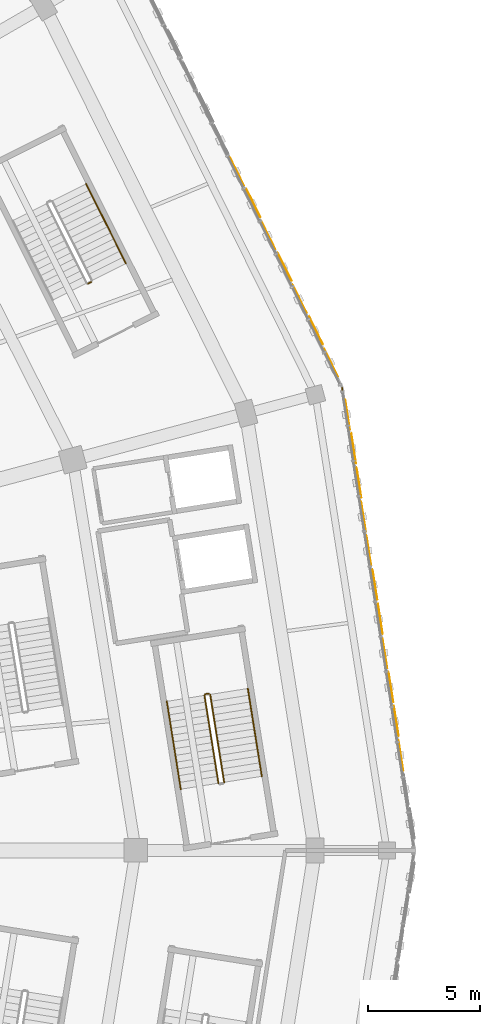
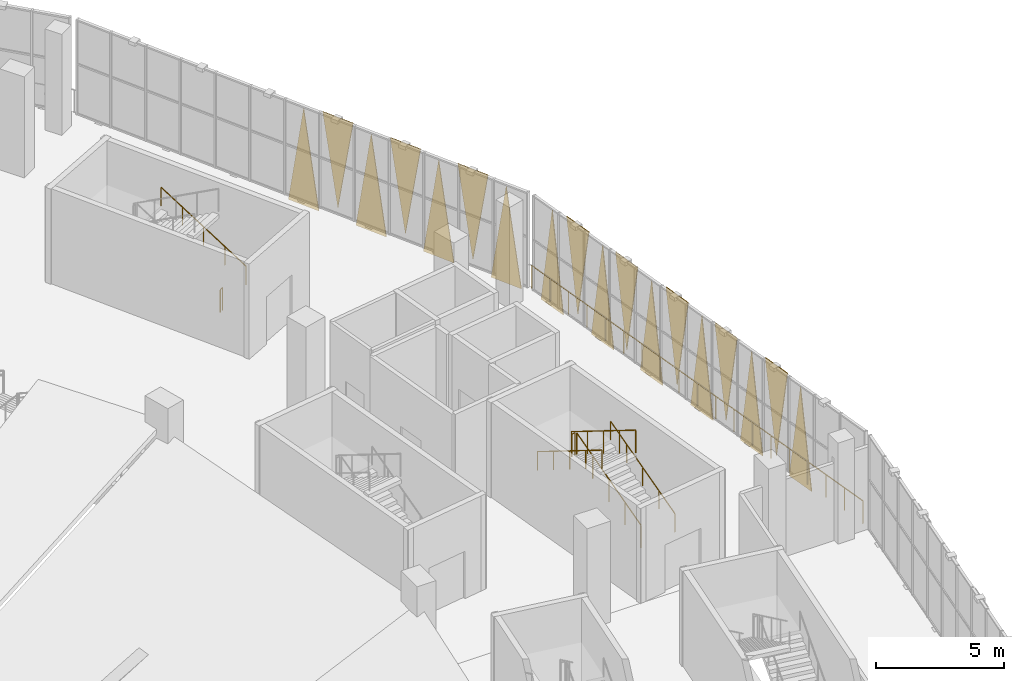
# One storey, part 155 of 183: 18 coverings, 8 railings.
"""IFC4 building model written with IfcOpenShell, lengths in metres."""

from ifc_helpers import new_model, si_unit, direction, frame, origin, origin_2d, place, context, subcontext, project, spatial, polyline, circle, outline, extrude, material, layer, layer_set, type_object, element, save


model = new_model("IFC4")

# Units and contexts
model_context = context("Model", 3, precision=1e-05, world=origin(), true_north=direction((0.0, 1.0)))
body_context = subcontext(model_context, "Body", "Model", "MODEL_VIEW")
ifc_project = project(units=[si_unit("LENGTHUNIT", "METRE"), si_unit("AREAUNIT", "SQUARE_METRE"), si_unit("VOLUMEUNIT", "CUBIC_METRE"), si_unit("PLANEANGLEUNIT", "RADIAN"), si_unit("MASSUNIT", "GRAM", prefix="KILO")], contexts=[model_context])

# Site, building, storey
site_placement = place(None, origin())
site = spatial("IfcSite", under=ifc_project, at=site_placement, CompositionType="ELEMENT")
building_placement = place(site_placement, origin())
building = spatial("IfcBuilding", under=site, at=building_placement, Name="Zevraka Park Crest Stadium", CompositionType="ELEMENT")
storey_placement = place(building_placement, frame((0.0, 0.0, 5.39990234375)))
storey = spatial("IfcBuildingStorey", under=building, at=storey_placement, Name="L01", CompositionType="ELEMENT", Elevation=5.39990234375)

# Coverings
ifc_material_1 = material(Name="Architectural golden-bronze perforated aluminium", Category="aluminium")
ifc_layer = layer(ifc_material_1, 0.034912109375)
ifc_layer_set = layer_set([ifc_layer], Name="Architectural golden-bronze perforated aluminium")
covering_type = type_object("IfcCoveringType", Name="CLD01", PredefinedType="CLADDING", material=ifc_layer_set)
covering_1_placement = place(storey_placement, frame((206.242919921875, 95.56396484375, -0.260009765625), z_axis=(0.988021307121, 0.154317495936, 8.4399155e-05), x_axis=(-0.154317496485, 0.98802131064, 0.0)))
element("IfcCovering", 1, at=covering_1_placement, inside=storey, type_object=covering_type, Name="Triangular Golden-Bronze Perforated Cladding L01-00-3", PredefinedType="CLADDING", context=body_context, shape_type="SweptSolid", body=[
    extrude(outline(polyline([(0.0, 0.0), (1.3795624595306466, 0.0), (0.6904596204561364, 4.600097672633749), (0.0, 0.0)])), origin(), (0.0, 0.0, -1.0), 0.034912109375),
])
covering_2_placement = place(storey_placement, frame((205.7919921875, 98.447021484375, 4.5), z_axis=(-0.988004429804, -0.154425499693, 0.000108316949), x_axis=(0.154425500599, -0.9880044356, 0.0)))
element("IfcCovering", 2, at=covering_2_placement, inside=storey, type_object=covering_type, Name="Triangular Golden-Bronze Perforated Cladding L01-00-4", PredefinedType="CLADDING", context=body_context, shape_type="SweptSolid", body=[
    extrude(outline(polyline([(0.0, 0.0), (1.378597603206358, 0.0), (0.6891027925165095, -4.279785181356422), (0.0, 0.0)])), origin(), (0.0, 0.0, -1.0), 0.034912109375),
])
covering_3_placement = place(storey_placement, frame((205.76708984375, 98.60498046875, -0.260009765625), z_axis=(-0.987977398776, -0.15459836335, 7.4549778e-05), x_axis=(-0.15459836378, 0.987977401521, 0.0)))
element("IfcCovering", 3, at=covering_3_placement, inside=storey, type_object=covering_type, Name="Triangular Golden-Bronze Perforated Cladding L01-00-5", PredefinedType="CLADDING", context=body_context, shape_type="SweptSolid", body=[
    extrude(outline(polyline([(0.0, 0.0), (1.3786353258463413, 0.0), (0.6891404446012883, -4.600097669032912), (0.0, 0.0)])), origin(), (0.0, 0.0, -1.0), 0.034912109375),
])
covering_4_placement = place(storey_placement, frame((205.31591796875, 101.488037109375, 4.5), z_axis=(0.987994302166, 0.154490242843, 0.000154119859), x_axis=(0.154490244678, -0.9879943139, 0.0)))
element("IfcCovering", 4, at=covering_4_placement, inside=storey, type_object=covering_type, Name="Triangular Golden-Bronze Perforated Cladding L01-00-6", PredefinedType="CLADDING", context=body_context, shape_type="SweptSolid", body=[
    extrude(outline(polyline([(0.0, 0.0), (1.3796001557884008, 6.776263578034403e-21), (0.6895325569324923, 4.279785207078722), (0.0, 0.0)])), origin(), (0.0, 0.0, -1.0), 0.034912109375),
])
covering_5_placement = place(storey_placement, frame((205.2919921875, 101.64599609375, -0.260009765625), z_axis=(-0.987868977422, -0.15528967435, 2.2093708e-05), x_axis=(-0.155289674388, 0.987868977663, 0.0)))
element("IfcCovering", 5, at=covering_5_placement, inside=storey, type_object=covering_type, Name="Triangular Golden-Bronze Perforated Cladding L01-00-7", PredefinedType="CLADDING", context=body_context, shape_type="SweptSolid", body=[
    extrude(outline(polyline([(0.0, 0.0), (1.3787866383835012, 8.470329472543003e-22), (0.6892537734578578, -4.600097657372728), (0.0, 0.0)])), origin(), (0.0, 0.0, -1.0), 0.034912109375),
])
covering_6_placement = place(storey_placement, frame((204.841064453125, 104.529052734375, 4.5), z_axis=(-0.988021301672, -0.154317495085, 0.000134731109), x_axis=(0.154317496485, -0.98802131064, 0.0)))
element("IfcCovering", 6, at=covering_6_placement, inside=storey, type_object=covering_type, Name="Triangular Golden-Bronze Perforated Cladding L01-00-8", PredefinedType="CLADDING", context=body_context, shape_type="SweptSolid", body=[
    extrude(outline(polyline([(0.0, 0.0), (1.3795624595306466, -6.776263578034403e-21), (0.6903089197759749, -4.27978519509434), (0.0, 0.0)])), origin(), (0.0, 0.0, -1.0), 0.034912109375),
])
covering_7_placement = place(storey_placement, frame((204.81591796875, 104.68701171875, -0.260009765625), z_axis=(0.988004429734, 0.154425499682, 0.000108970471), x_axis=(-0.154425500599, 0.9880044356, 0.0)))
element("IfcCovering", 7, at=covering_7_placement, inside=storey, type_object=covering_type, Name="Triangular Golden-Bronze Perforated Cladding L01-00-9", PredefinedType="CLADDING", context=body_context, shape_type="SweptSolid", body=[
    extrude(outline(polyline([(0.0, 0.0), (1.378597603206358, 0.0), (0.6892535986694385, 4.600097683562077), (0.0, 0.0)])), origin(), (0.0, 0.0, -1.0), 0.034912109375),
])
covering_8_placement = place(storey_placement, frame((204.364990234375, 107.569091796875, 4.5), z_axis=(0.988004429804, 0.154425499693, 0.000108316949), x_axis=(0.154425500599, -0.9880044356, 0.0)))
element("IfcCovering", 8, at=covering_8_placement, inside=storey, type_object=covering_type, Name="Triangular Golden-Bronze Perforated Cladding L01-00-10", PredefinedType="CLADDING", context=body_context, shape_type="SweptSolid", body=[
    extrude(outline(polyline([(0.0, 0.0), (1.378597603206358, 0.0), (0.6894948106898485, 4.279785181356422), (0.0, 0.0)])), origin(), (0.0, 0.0, -1.0), 0.034912109375),
])
covering_9_placement = place(storey_placement, frame((204.340087890625, 107.72705078125, -0.260009765625), z_axis=(-0.98799431223, -0.154490244416, 5.8155496e-05), x_axis=(-0.154490244678, 0.9879943139, 0.0)))
element("IfcCovering", 9, at=covering_9_placement, inside=storey, type_object=covering_type, Name="Triangular Golden-Bronze Perforated Cladding L01-00-11", PredefinedType="CLADDING", context=body_context, shape_type="SweptSolid", body=[
    extrude(outline(polyline([(0.0, 0.0), (1.3796001557884008, 0.0), (0.6891404780036323, -4.600097664028908), (0.0, 0.0)])), origin(), (0.0, 0.0, -1.0), 0.034912109375),
])
covering_10_placement = place(storey_placement, frame((203.889892578125, 110.610107421875, 4.5), z_axis=(-0.987977397613, -0.154598363168, 8.894839e-05), x_axis=(0.15459836378, -0.987977401521, 0.0)))
element("IfcCovering", 10, at=covering_10_placement, inside=storey, type_object=covering_type, Name="Triangular Golden-Bronze Perforated Cladding L01-00-12", PredefinedType="CLADDING", context=body_context, shape_type="SweptSolid", body=[
    extrude(outline(polyline([(0.0, 0.0), (1.3786353258463413, 0.0), (0.6893816500215816, -4.279785173180437), (0.0, 0.0)])), origin(), (0.0, 0.0, -1.0), 0.034912109375),
])
covering_11_placement = place(storey_placement, frame((203.864990234375, 110.76806640625, -0.260009765625), z_axis=(0.988000205868, 0.154452524116, 0.000104872116), x_axis=(-0.154452524965, 0.988000211302, 0.0)))
element("IfcCovering", 11, at=covering_11_placement, inside=storey, type_object=covering_type, Name="Triangular Golden-Bronze Perforated Cladding L01-00-13", PredefinedType="CLADDING", context=body_context, shape_type="SweptSolid", body=[
    extrude(outline(polyline([(0.0, 0.0), (1.3783563917015642, 3.3881317890172014e-21), (0.6892536121227377, 4.600097681546307), (0.0, 0.0)])), origin(), (0.0, 0.0, -1.0), 0.034912109375),
])
covering_12_placement = place(storey_placement, frame((203.3359375, 113.1298828125, -0.260009765625), z_axis=(0.897262886806, 0.441496664748, 8.3524968e-05), x_axis=(-0.441496666288, 0.897262889936, 0.0)))
element("IfcCovering", 12, at=covering_12_placement, inside=storey, type_object=covering_type, Name="Triangular Golden-Bronze Perforated Cladding L01-01-1", PredefinedType="CLADDING", context=body_context, shape_type="SweptSolid", body=[
    extrude(outline(polyline([(0.0, 0.0), (1.4200631009776323, 0.0), (0.7103566541942712, 4.600097672296107), (0.0, 0.0)])), origin(), (0.0, 0.0, -1.0), 0.034912109375),
])
covering_13_placement = place(storey_placement, frame((202.010986328125, 115.822998046875, 4.5), z_axis=(-0.897363342696, -0.441292428963, 0.000152727413), x_axis=(0.441292434109, -0.897363353162, 0.0)))
element("IfcCovering", 13, at=covering_13_placement, inside=storey, type_object=covering_type, Name="Triangular Golden-Bronze Perforated Cladding L01-01-2", PredefinedType="CLADDING", context=body_context, shape_type="SweptSolid", body=[
    extrude(outline(polyline([(0.0, 0.0), (1.420720312745091, -1.3552527156068805e-20), (0.710582847250989, -4.279785206164413), (0.0, 0.0)])), origin(), (0.0, 0.0, -1.0), 0.034912109375),
])
covering_14_placement = place(storey_placement, frame((201.93994140625, 115.966064453125, -0.260009765625), z_axis=(0.89736335211, 0.441292433592, 4.8410033e-05), x_axis=(-0.441292434109, 0.897363353162, 0.0)))
element("IfcCovering", 14, at=covering_14_placement, inside=storey, type_object=covering_type, Name="Triangular Golden-Bronze Perforated Cladding L01-01-3", PredefinedType="CLADDING", context=body_context, shape_type="SweptSolid", body=[
    extrude(outline(polyline([(0.0, 0.0), (1.420720312745091, 0.0), (0.7110137968936739, 4.600097661640237), (0.0, 0.0)])), origin(), (0.0, 0.0, -1.0), 0.034912109375),
])
covering_15_placement = place(storey_placement, frame((200.614990234375, 118.658935546875, 4.5), z_axis=(-0.897229366489, -0.441564778295, 0.000102365016), x_axis=(0.441564780609, -0.89722937119, 0.0)))
element("IfcCovering", 15, at=covering_15_placement, inside=storey, type_object=covering_type, Name="Triangular Golden-Bronze Perforated Cladding L01-01-4", PredefinedType="CLADDING", context=body_context, shape_type="SweptSolid", body=[
    extrude(outline(polyline([(0.0, 0.0), (1.4198440467462223, -6.776263578034403e-21), (0.7097064155700795, -4.2797851786730705), (0.0, 0.0)])), origin(), (0.0, 0.0, -1.0), 0.034912109375),
])
covering_16_placement = place(storey_placement, frame((200.5439453125, 118.802978515625, -0.260009765625), z_axis=(0.897363344103, 0.441292429655, 0.000142092747), x_axis=(-0.441292434109, 0.897363353162, 0.0)))
element("IfcCovering", 16, at=covering_16_placement, inside=storey, type_object=covering_type, Name="Triangular Golden-Bronze Perforated Cladding L01-01-5", PredefinedType="CLADDING", context=body_context, shape_type="SweptSolid", body=[
    extrude(outline(polyline([(0.0, 0.0), (1.420720312745091, 1.3552527156068805e-20), (0.7101374654941018, 4.600097702688788), (0.0, 0.0)])), origin(), (0.0, 0.0, -1.0), 0.034912109375),
])
covering_17_placement = place(storey_placement, frame((199.218994140625, 121.49609375, 4.5), z_axis=(-0.897396808055, -0.441224392703, 6.4629608e-05), x_axis=(0.441224393624, -0.897396809929, 0.0)))
element("IfcCovering", 17, at=covering_17_placement, inside=storey, type_object=covering_type, Name="Triangular Golden-Bronze Perforated Cladding L01-01-6", PredefinedType="CLADDING", context=body_context, shape_type="SweptSolid", body=[
    extrude(outline(polyline([(0.0, 0.0), (1.4209393996793769, 0.0), (0.7099256217141656, -4.279785165188302), (0.0, 0.0)])), origin(), (0.0, 0.0, -1.0), 0.034912109375),
])
covering_18_placement = place(storey_placement, frame((199.14794921875, 121.639892578125, -0.260009765625), z_axis=(0.897262886806, 0.441496664748, 8.3524968e-05), x_axis=(-0.441496666288, 0.897262889936, 0.0)))
element("IfcCovering", 18, at=covering_18_placement, inside=storey, type_object=covering_type, Name="Triangular Golden-Bronze Perforated Cladding L01-01-7", PredefinedType="CLADDING", context=body_context, shape_type="SweptSolid", body=[
    extrude(outline(polyline([(0.0, 0.0), (1.4200631009776323, 0.0), (0.7103566541942712, 4.600097672296107), (0.0, 0.0)])), origin(), (0.0, 0.0, -1.0), 0.034912109375),
])

# Railings
ifc_material_2 = material(Name="Galvanised and bronze-finished steel balustrade", Category="steel")
railing_type_1 = type_object("IfcRailingType", Name="GR01", PredefinedType="GUARDRAIL", material=ifc_material_2)
railing_1_placement = place(storey_placement, frame((203.501953125, 112.633056640625, 0.0)))
element("IfcRailing", 19, at=railing_1_placement, inside=storey, type_object=railing_type_1, Name="Deck Edge Protection Guardrail GR01 L01-21", PredefinedType="GUARDRAIL", context=body_context, shape_type="SweptSolid", body=[
    extrude(circle(Radius=0.02392578125, at=origin_2d()), frame((0.0, 0.0, 1.076171875), z_axis=(0.154543109809, -0.987986046061, 0.0), x_axis=(0.987986046061, 0.154543109809, 0.0)), (0.0, 0.0, 1.0), 20.51953125),
    extrude(circle(Radius=0.02099609375, at=origin_2d()), origin(), (0.0, 0.0, 1.0), 1.052001953125),
    extrude(circle(Radius=0.02099609375, at=origin_2d()), frame((0.17626953125, -1.126220703125, 0.0)), (0.0, 0.0, 1.0), 1.052001953125),
    extrude(circle(Radius=0.02099609375, at=origin_2d()), frame((0.352294921875, -2.25244140625, 0.0)), (0.0, 0.0, 1.0), 1.052001953125),
    extrude(circle(Radius=0.02099609375, at=origin_2d()), frame((0.528564453125, -3.37890625, 0.0)), (0.0, 0.0, 1.0), 1.052001953125),
    extrude(circle(Radius=0.02099609375, at=origin_2d()), frame((0.70458984375, -4.505126953125, 0.0)), (0.0, 0.0, 1.0), 1.052001953125),
    extrude(circle(Radius=0.02099609375, at=origin_2d()), frame((0.880859375, -5.63134765625, 0.0)), (0.0, 0.0, 1.0), 1.052001953125),
    extrude(circle(Radius=0.02099609375, at=origin_2d()), frame((1.05712890625, -6.757568359375, 0.0)), (0.0, 0.0, 1.0), 1.052001953125),
    extrude(circle(Radius=0.02099609375, at=origin_2d()), frame((1.233154296875, -7.884033203125, 0.0)), (0.0, 0.0, 1.0), 1.052001953125),
    extrude(circle(Radius=0.02099609375, at=origin_2d()), frame((1.409423828125, -9.01025390625, 0.0)), (0.0, 0.0, 1.0), 1.052001953125),
    extrude(circle(Radius=0.02099609375, at=origin_2d()), frame((1.58544921875, -10.136474609375, 0.0)), (0.0, 0.0, 1.0), 1.052001953125),
    extrude(circle(Radius=0.02099609375, at=origin_2d()), frame((1.76171875, -11.2626953125, 0.0)), (0.0, 0.0, 1.0), 1.052001953125),
    extrude(circle(Radius=0.02099609375, at=origin_2d()), frame((1.93798828125, -12.388916015625, 0.0)), (0.0, 0.0, 1.0), 1.052001953125),
    extrude(circle(Radius=0.02099609375, at=origin_2d()), frame((2.114013671875, -13.515380859375, 0.0)), (0.0, 0.0, 1.0), 1.052001953125),
    extrude(circle(Radius=0.02099609375, at=origin_2d()), frame((2.290283203125, -14.6416015625, 0.0)), (0.0, 0.0, 1.0), 1.052001953125),
    extrude(circle(Radius=0.02099609375, at=origin_2d()), frame((2.466552734375, -15.767822265625, 0.0)), (0.0, 0.0, 1.0), 1.052001953125),
    extrude(circle(Radius=0.02099609375, at=origin_2d()), frame((2.642578125, -16.89404296875, 0.0)), (0.0, 0.0, 1.0), 1.052001953125),
    extrude(circle(Radius=0.02099609375, at=origin_2d()), frame((2.81884765625, -18.0205078125, 0.0)), (0.0, 0.0, 1.0), 1.052001953125),
    extrude(circle(Radius=0.02099609375, at=origin_2d()), frame((2.994873046875, -19.146728515625, 0.0)), (0.0, 0.0, 1.0), 1.052001953125),
    extrude(circle(Radius=0.02099609375, at=origin_2d()), frame((3.171142578125, -20.27294921875, 0.0)), (0.0, 0.0, 1.0), 1.052001953125),
])
ifc_material_3 = material(Name="Powder-coated tubular steel stairwell guard", Category="steel")
railing_type_2 = type_object("IfcRailingType", Name="GR03", PredefinedType="GUARDRAIL", material=ifc_material_3)
railing_2_placement = place(storey_placement, frame((198.24658203125, 95.039794921875, 0.171630859375)))
element("IfcRailing", 20, at=railing_2_placement, inside=storey, type_object=railing_type_2, Name="L01 ST01 stair guard 1", PredefinedType="GUARDRAIL", context=body_context, shape_type="SweptSolid", body=[
    extrude(circle(Radius=0.02392578125, at=origin_2d()), frame((0.0, 0.0, 1.076171875), z_axis=(-0.137093904715, 0.860889602123, 0.489973830165), x_axis=(-0.987556409005, -0.157265186968, 0.0)), (0.0, 0.0, 1.0), 4.54833984375),
    extrude(circle(Radius=0.02099609375, at=origin_2d()), origin(), (0.0, 0.0, 1.0), 1.052001953125),
    extrude(circle(Radius=0.02099609375, at=origin_2d()), frame((-0.15576171875, 0.97900390625, 0.55712890625)), (0.0, 0.0, 1.0), 1.052001953125),
    extrude(circle(Radius=0.02099609375, at=origin_2d()), frame((-0.311767578125, 1.957763671875, 1.1142578125)), (0.0, 0.0, 1.0), 1.052001953125),
    extrude(circle(Radius=0.02099609375, at=origin_2d()), frame((-0.4677734375, 2.9365234375, 1.67138671875)), (0.0, 0.0, 1.0), 1.052001953125),
    extrude(circle(Radius=0.02099609375, at=origin_2d()), frame((-0.62353515625, 3.91552734375, 2.228515625)), (0.0, 0.0, 1.0), 1.052001953125),
])
railing_3_placement = place(storey_placement, frame((197.56591796875, 98.996826171875, 2.400146484375)))
element("IfcRailing", 21, at=railing_3_placement, inside=storey, type_object=railing_type_2, Name="L01 ST01 stair guard 2", PredefinedType="GUARDRAIL", context=body_context, shape_type="SweptSolid", body=[
    extrude(circle(Radius=0.02392578125, at=origin_2d()), frame((0.0, 0.0, 1.076171875), z_axis=(-0.987601795403, -0.15697991501, 0.0), x_axis=(0.15697991501, -0.987601795403, 0.0)), (0.0, 0.0, 1.0), 0.16015625),
    extrude(circle(Radius=0.02099609375, at=origin_2d()), origin(), (0.0, 0.0, 1.0), 1.052001953125),
    extrude(circle(Radius=0.02099609375, at=origin_2d()), frame((-0.158203125, -0.025146484375, 0.0)), (0.0, 0.0, 1.0), 1.052001953125),
])
railing_4_placement = place(storey_placement, frame((197.3662109375, 98.91455078125, 2.571533203125)))
element("IfcRailing", 22, at=railing_4_placement, inside=storey, type_object=railing_type_2, Name="L01 ST01 stair guard 3", PredefinedType="GUARDRAIL", context=body_context, shape_type="SweptSolid", body=[
    extrude(circle(Radius=0.02392578125, at=origin_2d()), frame((0.0, 0.0, 1.076171875), z_axis=(0.13708756972, -0.860903496765, 0.489951188881), x_axis=(0.987557931786, 0.157255624277, 0.0)), (0.0, 0.0, 1.0), 4.54833984375),
    extrude(circle(Radius=0.02099609375, at=origin_2d()), origin(), (0.0, 0.0, 1.0), 1.052001953125),
    extrude(circle(Radius=0.02099609375, at=origin_2d()), frame((0.15576171875, -0.97900390625, 0.55712890625)), (0.0, 0.0, 1.0), 1.052001953125),
    extrude(circle(Radius=0.02099609375, at=origin_2d()), frame((0.311767578125, -1.9580078125, 1.1142578125)), (0.0, 0.0, 1.0), 1.052001953125),
    extrude(circle(Radius=0.02099609375, at=origin_2d()), frame((0.4677734375, -2.936767578125, 1.67138671875)), (0.0, 0.0, 1.0), 1.052001953125),
    extrude(circle(Radius=0.02099609375, at=origin_2d()), frame((0.62353515625, -3.915771484375, 2.228515625)), (0.0, 0.0, 1.0), 1.052001953125),
])
railing_5_placement = place(storey_placement, frame((192.32421875, 117.34619140625, 0.0)))
element("IfcRailing", 23, at=railing_5_placement, inside=storey, type_object=railing_type_2, Name="L01 ST02 stair guard 4", PredefinedType="GUARDRAIL", context=body_context, shape_type="SweptSolid", body=[
    extrude(circle(Radius=0.02392578125, at=origin_2d()), frame((0.0, 0.0, 1.076171875), z_axis=(-0.894427191, -0.4472135955, 0.0), x_axis=(0.4472135955, -0.894427191, 0.0)), (0.0, 0.0, 1.0), 0.159912109375),
    extrude(circle(Radius=0.02099609375, at=origin_2d()), origin(), (0.0, 0.0, 1.0), 1.052001953125),
    extrude(circle(Radius=0.02099609375, at=origin_2d()), frame((-0.14306640625, -0.071533203125, 0.0)), (0.0, 0.0, 1.0), 1.052001953125),
])
ifc_material_4 = material(Name="Brushed stainless steel continuous handrail", Category="steel")
railing_type_3 = type_object("IfcRailingType", Name="HR01", PredefinedType="HANDRAIL", material=ifc_material_4)
railing_6_placement = place(storey_placement, frame((199.925537109375, 95.30712890625, 0.171630859375)))
element("IfcRailing", 24, at=railing_6_placement, inside=storey, type_object=railing_type_3, Name="L01 ST01 stair handrail 1", PredefinedType="HANDRAIL", context=body_context, shape_type="SweptSolid", body=[
    extrude(circle(Radius=0.02392578125, at=origin_2d()), frame((0.0, 0.0, 0.8759765625), z_axis=(-0.137093904715, 0.860889602123, 0.489973830165), x_axis=(-0.987556409005, -0.157265186968, 0.0)), (0.0, 0.0, 1.0), 4.54833984375),
    extrude(circle(Radius=0.02099609375, at=origin_2d()), origin(), (0.0, 0.0, 1.0), 0.851806640625),
    extrude(circle(Radius=0.02099609375, at=origin_2d()), frame((-0.15576171875, 0.97900390625, 0.55712890625)), (0.0, 0.0, 1.0), 0.851806640625),
    extrude(circle(Radius=0.02099609375, at=origin_2d()), frame((-0.311767578125, 1.957763671875, 1.1142578125)), (0.0, 0.0, 1.0), 0.851806640625),
    extrude(circle(Radius=0.02099609375, at=origin_2d()), frame((-0.4677734375, 2.9365234375, 1.67138671875)), (0.0, 0.0, 1.0), 0.851806640625),
    extrude(circle(Radius=0.02099609375, at=origin_2d()), frame((-0.62353515625, 3.91552734375, 2.228515625)), (0.0, 0.0, 1.0), 0.851806640625),
])
railing_7_placement = place(storey_placement, frame((195.6875, 98.647216796875, 2.571533203125)))
element("IfcRailing", 25, at=railing_7_placement, inside=storey, type_object=railing_type_3, Name="L01 ST01 stair handrail 2", PredefinedType="HANDRAIL", context=body_context, shape_type="SweptSolid", body=[
    extrude(circle(Radius=0.02392578125, at=origin_2d()), frame((0.0, 0.0, 0.8759765625), z_axis=(0.13708756972, -0.860903496765, 0.489951188881), x_axis=(0.987557931786, 0.157255624277, 0.0)), (0.0, 0.0, 1.0), 4.54833984375),
    extrude(circle(Radius=0.02099609375, at=origin_2d()), origin(), (0.0, 0.0, 1.0), 0.851806640625),
    extrude(circle(Radius=0.02099609375, at=origin_2d()), frame((0.15576171875, -0.97900390625, 0.55712890625)), (0.0, 0.0, 1.0), 0.851806640625),
    extrude(circle(Radius=0.02099609375, at=origin_2d()), frame((0.311767578125, -1.9580078125, 1.1142578125)), (0.0, 0.0, 1.0), 0.851806640625),
    extrude(circle(Radius=0.02099609375, at=origin_2d()), frame((0.4677734375, -2.936767578125, 1.67138671875)), (0.0, 0.0, 1.0), 0.851806640625),
    extrude(circle(Radius=0.02099609375, at=origin_2d()), frame((0.62353515625, -3.915771484375, 2.228515625)), (0.0, 0.0, 1.0), 0.851806640625),
])
railing_8_placement = place(storey_placement, frame((193.866455078125, 118.1748046875, 0.171630859375)))
element("IfcRailing", 26, at=railing_8_placement, inside=storey, type_object=railing_type_3, Name="L01 ST02 stair handrail 1", PredefinedType="HANDRAIL", context=body_context, shape_type="SweptSolid", body=[
    extrude(circle(Radius=0.02392578125, at=origin_2d()), frame((0.0, 0.0, 0.8759765625), z_axis=(-0.39045397791, 0.779404971028, 0.489973042393), x_axis=(-0.894082100069, -0.447903112666, 0.0)), (0.0, 0.0, 1.0), 4.54833984375),
    extrude(circle(Radius=0.02099609375, at=origin_2d()), origin(), (0.0, 0.0, 1.0), 0.851806640625),
    extrude(circle(Radius=0.02099609375, at=origin_2d()), frame((-0.44384765625, 0.88623046875, 0.55712890625)), (0.0, 0.0, 1.0), 0.851806640625),
    extrude(circle(Radius=0.02099609375, at=origin_2d()), frame((-0.887939453125, 1.7724609375, 1.1142578125)), (0.0, 0.0, 1.0), 0.851806640625),
    extrude(circle(Radius=0.02099609375, at=origin_2d()), frame((-1.33203125, 2.65869140625, 1.67138671875)), (0.0, 0.0, 1.0), 0.851806640625),
    extrude(circle(Radius=0.02099609375, at=origin_2d()), frame((-1.77587890625, 3.544921875, 2.228515625)), (0.0, 0.0, 1.0), 0.851806640625),
])

save(model, "model.ifc")
